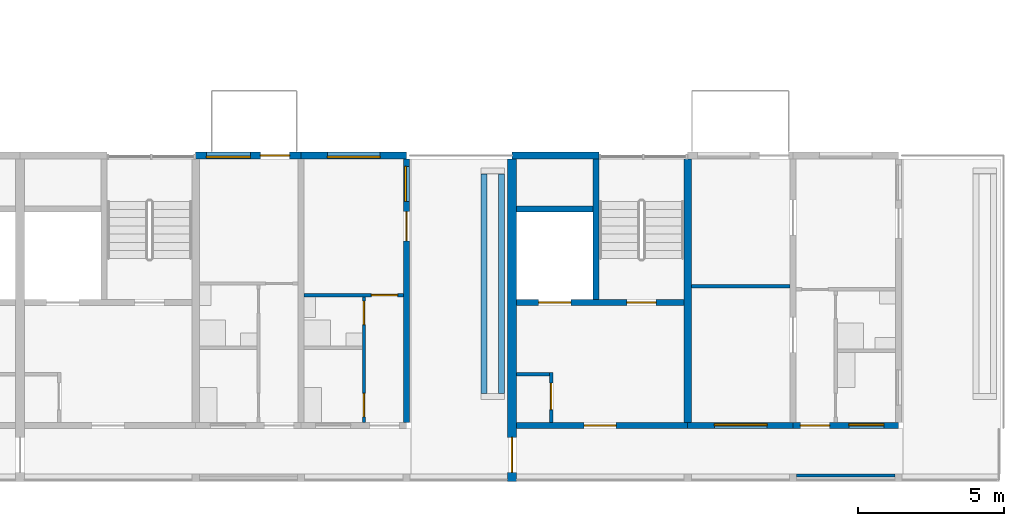
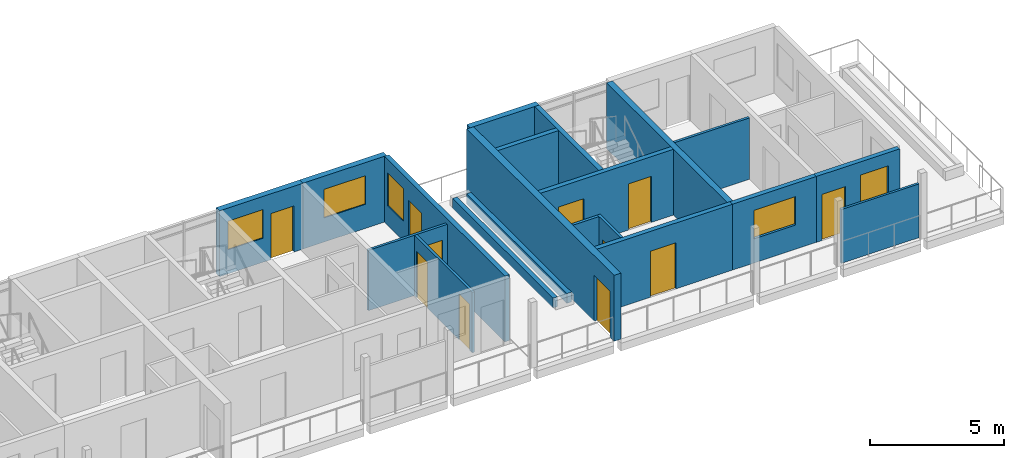
# One storey, part 35 of 55: 20 walls, 11 doors, 5 windows, 16 openings.
"""IFC4 building model written with IfcOpenShell, lengths in metres."""

from ifc_helpers import new_model, si_unit, direction, frame, frame_2d, origin, place, context, subcontext, project, spatial, rectangle, extrude, material, layer, layer_set, type_object, element, fill, save


model = new_model("IFC4")

# Units and contexts
model_context = context("Model", 3, precision=1e-05, world=origin(), true_north=direction((0.0, 1.0)))
body_context = subcontext(model_context, "Body", "Model", "MODEL_VIEW")
ifc_project = project(units=[si_unit("LENGTHUNIT", "METRE"), si_unit("AREAUNIT", "SQUARE_METRE"), si_unit("VOLUMEUNIT", "CUBIC_METRE"), si_unit("PLANEANGLEUNIT", "RADIAN"), si_unit("MASSUNIT", "GRAM", prefix="KILO")], contexts=[model_context])

# Site, building, storey
site_placement = place(None, origin())
site = spatial("IfcSite", under=ifc_project, at=site_placement, CompositionType="ELEMENT")
building_placement = place(site_placement, origin())
building = spatial("IfcBuilding", under=site, at=building_placement, Name="Ridgestep Commons", CompositionType="ELEMENT")
storey_placement = place(building_placement, frame((0.0, 0.0, 36.0)))
storey = spatial("IfcBuildingStorey", under=building, at=storey_placement, Name="L12", CompositionType="ELEMENT", Elevation=36.0)

# Wall
ifc_material_1 = material(Name="Concrete C30/37", Category="concrete")
ifc_layer_1 = layer(ifc_material_1, 0.25)
ifc_layer_set_1 = layer_set([ifc_layer_1], Name="Core cross wall 250")
wall_type_1 = type_object("IfcWallType", Name="Core cross wall 250", PredefinedType="SHEAR", material=ifc_layer_set_1)
wall_1_placement = place(storey_placement, frame((236.800048828125, 13.75, 0.0), z_axis=(0.0, 0.0, 1.0), x_axis=(0.0, 1.0, 0.0)))
element("IfcWall", 1, at=wall_1_placement, inside=storey, type_object=wall_type_1, Name="Cross wall D-12-2368", PredefinedType="SHEAR", context=body_context, shape_type="SweptSolid", body=[
    extrude(rectangle(XDim=9.0, YDim=0.25, at=frame_2d((4.5, 0.0))), origin(), (0.0, 0.0, 1.0), 3.0),
])

# Wall, opening, door
ifc_material_2 = material(Name="Concrete C30/37", Category="concrete")
ifc_layer_2 = layer(ifc_material_2, 0.199951171875)
ifc_layer_set_2 = layer_set([ifc_layer_2], Name="Core south wall 200")
wall_type_2 = type_object("IfcWallType", Name="Core south wall 200", PredefinedType="SHEAR", material=ifc_layer_set_2)
wall_2_placement = place(storey_placement, frame((230.949951171875, 13.64990234375, 0.0), z_axis=(0.0, 0.0, 1.0), x_axis=(1.0, 0.0, 0.0)))
wall_2 = element("IfcWall", 2, at=wall_2_placement, inside=storey, type_object=wall_type_2, Name="Core south wall D6C L12", PredefinedType="SHEAR", context=body_context, shape_type="SweptSolid", body=[
    extrude(rectangle(XDim=5.85009765625, YDim=0.199951171875, at=frame_2d((2.925048828125, 0.0))), origin(), (0.0, 0.0, 1.0), 3.0),
])
opening_1_placement = place(wall_2_placement, frame((2.3125, 0.0, 0.0)))
opening_1 = element("IfcOpeningElement", 3, at=opening_1_placement, cuts=wall_2, Name="Opening D6C/12/1", PredefinedType="OPENING", context=body_context, shape_type="SweptSolid", body=[
    extrude(rectangle(XDim=1.10009765625, YDim=2.10009765625, at=frame_2d((0.550048828125, 1.050048828125))), frame((0.0, 0.10986328125, 0.0), z_axis=(0.0, -1.0, 0.0), x_axis=(1.0, 0.0, 0.0)), (0.0, 0.0, 1.0), 0.219970703125),
])
ifc_material_3 = material(Name="Steel fire door", Category="steel")
door_type_1 = type_object("IfcDoorType", Name="Lobby door 1100 x 2100 FD60", OperationType="NOTDEFINED", PredefinedType="DOOR", material=ifc_material_3)
door_1_placement = place(opening_1_placement, origin())
door_1 = element("IfcDoor", 4, at=door_1_placement, inside=storey, type_object=door_type_1, Name="Lobby door D6C/12/1", OperationType="SINGLE_SWING_LEFT", OverallHeight=2.10009765625, OverallWidth=1.10009765625, PredefinedType="DOOR", context=body_context, shape_type="SweptSolid", body=[
    extrude(rectangle(XDim=1.10009765625, YDim=2.10009765625, at=frame_2d((0.550048828125, 1.050048828125))), frame((0.0, 0.02490234375, 0.0), z_axis=(0.0, -1.0, 0.0), x_axis=(1.0, 0.0, 0.0)), (0.0, 0.0, 1.0), 0.050048828125),
])
fill(opening_1, door_1)

ifc_material_4 = material(Name="Concrete C30/37", Category="concrete")
ifc_layer_3 = layer(ifc_material_4, 0.1201171875)
ifc_layer_set_3 = layer_set([ifc_layer_3], Name="Core wall 120")
wall_type_3 = type_object("IfcWallType", Name="Core wall 120", PredefinedType="SHEAR", material=ifc_layer_set_3)
wall_3_placement = place(storey_placement, frame((232.139892578125, 13.75, 0.0), z_axis=(0.0, 0.0, 1.0), x_axis=(0.0, 1.0, 0.0)))
wall_3 = element("IfcWall", 5, at=wall_3_placement, inside=storey, type_object=wall_type_3, Name="Core riser w wall D6C L12", PredefinedType="SHEAR", context=body_context, shape_type="SweptSolid", body=[
    extrude(rectangle(XDim=1.719970703125, YDim=0.1201171875, at=frame_2d((0.85986328125, 0.0))), origin(), (0.0, 0.0, 1.0), 3.0),
])
opening_2_placement = place(wall_3_placement, frame((0.449951171875, 0.0, 0.0)))
opening_2 = element("IfcOpeningElement", 6, at=opening_2_placement, cuts=wall_3, Name="Opening D6C/12/4", PredefinedType="OPENING", context=body_context, shape_type="SweptSolid", body=[
    extrude(rectangle(XDim=0.89990234375, YDim=2.10009765625, at=frame_2d((0.449951171875, 1.050048828125))), frame((0.0, 0.070068359375, 0.0), z_axis=(0.0, -1.0, 0.0), x_axis=(1.0, 0.0, 0.0)), (0.0, 0.0, 1.0), 0.14013671875),
])
ifc_material_5 = material(Name="Steel fire door", Category="steel")
door_type_2 = type_object("IfcDoorType", Name="Riser door 900 x 2100 FD60", OperationType="NOTDEFINED", PredefinedType="DOOR", material=ifc_material_5)
door_2_placement = place(opening_2_placement, origin())
door_2 = element("IfcDoor", 7, at=door_2_placement, inside=storey, type_object=door_type_2, Name="Riser door D6C/12/4", OperationType="SINGLE_SWING_RIGHT", OverallHeight=2.10009765625, OverallWidth=0.89990234375, PredefinedType="DOOR", context=body_context, shape_type="SweptSolid", body=[
    extrude(rectangle(XDim=0.89990234375, YDim=2.10009765625, at=frame_2d((0.449951171875, 1.050048828125))), frame((0.0, 0.02490234375, 0.0), z_axis=(0.0, -1.0, 0.0), x_axis=(1.0, 0.0, 0.0)), (0.0, 0.0, 1.0), 0.050048828125),
])
fill(opening_2, door_2)

# Wall
wall_4_placement = place(storey_placement, frame((230.949951171875, 15.409912109375, 0.0), z_axis=(0.0, 0.0, 1.0), x_axis=(1.0, 0.0, 0.0)))
element("IfcWall", 8, at=wall_4_placement, inside=storey, type_object=wall_type_3, Name="Core riser n wall D6C L12", PredefinedType="SHEAR", context=body_context, shape_type="SweptSolid", body=[
    extrude(rectangle(XDim=1.130126953125, YDim=0.1201171875, at=frame_2d((0.56494140625, 0.0))), origin(), (0.0, 0.0, 1.0), 3.0),
])

# Wall, openings, doors
ifc_material_6 = material(Name="Concrete C30/37", Category="concrete")
ifc_layer_4 = layer(ifc_material_6, 0.199951171875)
ifc_layer_set_4 = layer_set([ifc_layer_4], Name="Core wall 200")
wall_type_4 = type_object("IfcWallType", Name="Core wall 200", PredefinedType="SHEAR", material=ifc_layer_set_4)
wall_5_placement = place(storey_placement, frame((230.949951171875, 17.85009765625, 0.0), z_axis=(0.0, 0.0, 1.0), x_axis=(1.0, 0.0, 0.0)))
wall_5 = element("IfcWall", 9, at=wall_5_placement, inside=storey, type_object=wall_type_4, Name="Core lobby wall D6C L12", PredefinedType="SHEAR", context=body_context, shape_type="SweptSolid", body=[
    extrude(rectangle(XDim=5.72509765625, YDim=0.199951171875, at=frame_2d((2.862548828125, 0.0))), origin(), (0.0, 0.0, 1.0), 3.0),
])
opening_3_placement = place(wall_5_placement, frame((3.77490234375, 0.0, 0.0)))
opening_3 = element("IfcOpeningElement", 10, at=opening_3_placement, cuts=wall_5, Name="Opening D6C/12/2", PredefinedType="OPENING", context=body_context, shape_type="SweptSolid", body=[
    extrude(rectangle(XDim=1.0, YDim=2.10009765625, at=frame_2d((0.5, 1.050048828125))), frame((0.0, 0.10986328125, 0.0), z_axis=(0.0, -1.0, 0.0), x_axis=(1.0, 0.0, 0.0)), (0.0, 0.0, 1.0), 0.219970703125),
])
opening_4_placement = place(wall_5_placement, frame((0.762451171875, 0.0, 0.0)))
opening_4 = element("IfcOpeningElement", 11, at=opening_4_placement, cuts=wall_5, Name="Opening D6C/12/3", PredefinedType="OPENING", context=body_context, shape_type="SweptSolid", body=[
    extrude(rectangle(XDim=1.10009765625, YDim=2.10009765625, at=frame_2d((0.550048828125, 1.050048828125))), frame((0.0, 0.10986328125, 0.0), z_axis=(0.0, -1.0, 0.0), x_axis=(1.0, 0.0, 0.0)), (0.0, 0.0, 1.0), 0.219970703125),
])
ifc_material_7 = material(Name="Stainless steel", Category="steel")
door_type_3 = type_object("IfcDoorType", Name="Lift landing door 1100 x 2100 FD60", OperationType="DOUBLE_DOOR_SLIDING", PredefinedType="DOOR", material=ifc_material_7)
door_3_placement = place(opening_4_placement, origin())
door_3 = element("IfcDoor", 12, at=door_3_placement, inside=storey, type_object=door_type_3, Name="Landing door LD D6C L12", OperationType="DOUBLE_DOOR_SLIDING", OverallHeight=2.10009765625, OverallWidth=1.10009765625, PredefinedType="DOOR", context=body_context, shape_type="SweptSolid", body=[
    extrude(rectangle(XDim=1.10009765625, YDim=2.10009765625, at=frame_2d((0.550048828125, 1.050048828125))), frame((0.0, 0.02490234375, 0.0), z_axis=(0.0, -1.0, 0.0), x_axis=(1.0, 0.0, 0.0)), (0.0, 0.0, 1.0), 0.050048828125),
])
fill(opening_4, door_3)
ifc_material_8 = material(Name="Steel fire door", Category="steel")
door_type_4 = type_object("IfcDoorType", Name="Stair door 1000 x 2100 FD60", OperationType="NOTDEFINED", PredefinedType="DOOR", material=ifc_material_8)
door_4_placement = place(opening_3_placement, origin())
door_4 = element("IfcDoor", 13, at=door_4_placement, inside=storey, type_object=door_type_4, Name="Stair door D6C/12/2", OperationType="SINGLE_SWING_RIGHT", OverallHeight=2.10009765625, OverallWidth=1.0, PredefinedType="DOOR", context=body_context, shape_type="SweptSolid", body=[
    extrude(rectangle(XDim=1.0, YDim=2.10009765625, at=frame_2d((0.5, 1.050048828125))), frame((0.0, 0.02490234375, 0.0), z_axis=(0.0, -1.0, 0.0), x_axis=(1.0, 0.0, 0.0)), (0.0, 0.0, 1.0), 0.050048828125),
])
fill(opening_3, door_4)

# Walls
wall_6_placement = place(storey_placement, frame((233.675048828125, 17.949951171875, 0.0), z_axis=(0.0, 0.0, 1.0), x_axis=(0.0, 1.0, 0.0)))
element("IfcWall", 14, at=wall_6_placement, inside=storey, type_object=wall_type_4, Name="Core stair wall D6C L12", PredefinedType="SHEAR", context=body_context, shape_type="SweptSolid", body=[
    extrude(rectangle(XDim=4.800048828125, YDim=0.199951171875, at=frame_2d((2.39990234375, 0.0))), origin(), (0.0, 0.0, 1.0), 3.0),
])
wall_7_placement = place(storey_placement, frame((230.949951171875, 21.050048828125, 0.0), z_axis=(0.0, 0.0, 1.0), x_axis=(1.0, 0.0, 0.0)))
element("IfcWall", 15, at=wall_7_placement, inside=storey, type_object=wall_type_4, Name="Core duct wall D6C L12", PredefinedType="SHEAR", context=body_context, shape_type="SweptSolid", body=[
    extrude(rectangle(XDim=2.625, YDim=0.199951171875, at=frame_2d((1.3125, 0.0))), origin(), (0.0, 0.0, 1.0), 3.0),
])

# Wall, openings, window, door
ifc_material_9 = material(Name="Precast concrete C40/50", Category="concrete")
ifc_layer_5 = layer(ifc_material_9, 0.199951171875)
ifc_layer_set_5 = layer_set([ifc_layer_5], Name="Exposed cross wall 200")
wall_type_5 = type_object("IfcWallType", Name="Exposed cross wall 200", PredefinedType="SHEAR", material=ifc_layer_set_5)
wall_8_placement = place(storey_placement, frame((227.199951171875, 13.75, 0.0), z_axis=(0.0, 0.0, 1.0), x_axis=(0.0, 1.0, 0.0)))
wall_8 = element("IfcWall", 16, at=wall_8_placement, inside=storey, type_object=wall_type_5, Name="Cross wall D-12-2272", PredefinedType="SHEAR", context=body_context, shape_type="SweptSolid", body=[
    extrude(rectangle(XDim=9.0, YDim=0.199951171875, at=frame_2d((4.5, 0.0))), origin(), (0.0, 0.0, 1.0), 3.0),
])
opening_5_placement = place(wall_8_placement, frame((7.552490234375, 0.0, 0.89990234375)))
opening_5 = element("IfcOpeningElement", 17, at=opening_5_placement, cuts=wall_8, Name="Opening W10", PredefinedType="OPENING", context=body_context, shape_type="SweptSolid", body=[
    extrude(rectangle(XDim=1.199951171875, YDim=1.5, at=frame_2d((0.60009765625, 0.75))), frame((0.0, 0.10986328125, 0.0), z_axis=(0.0, -1.0, 0.0), x_axis=(1.0, 0.0, 0.0)), (0.0, 0.0, 1.0), 0.219970703125),
])
opening_6_placement = place(wall_8_placement, frame((6.205078125, 0.0, 0.0)))
opening_6 = element("IfcOpeningElement", 18, at=opening_6_placement, cuts=wall_8, Name="Opening D5-12a/5", PredefinedType="OPENING", context=body_context, shape_type="SweptSolid", body=[
    extrude(rectangle(XDim=1.0, YDim=2.10009765625, at=frame_2d((0.5, 1.050048828125))), frame((0.0, 0.10986328125, 0.0), z_axis=(0.0, -1.0, 0.0), x_axis=(1.0, 0.0, 0.0)), (0.0, 0.0, 1.0), 0.219970703125),
])
ifc_material_10 = material(Name="Aluminium 6063-T6 and glass", Category="aluminium")
window_type_1 = type_object("IfcWindowType", Name="Flat window 1200 x 1500", PartitioningType="SINGLE_PANEL", PredefinedType="WINDOW", material=ifc_material_10)
window_1_placement = place(opening_5_placement, origin())
window_1 = element("IfcWindow", 19, at=window_1_placement, inside=storey, type_object=window_type_1, Name="Window D5-12a 3", OverallHeight=1.5, OverallWidth=1.199951171875, PartitioningType="SINGLE_PANEL", PredefinedType="WINDOW", context=body_context, shape_type="SweptSolid", body=[
    extrude(rectangle(XDim=1.199951171875, YDim=1.5, at=frame_2d((0.60009765625, 0.75))), frame((0.0, 0.06005859375, 0.0), z_axis=(0.0, -1.0, 0.0), x_axis=(1.0, 0.0, 0.0)), (0.0, 0.0, 1.0), 0.06005859375),
])
fill(opening_5, window_1)
ifc_material_11 = material(Name="Aluminium and glass", Category="aluminium")
door_type_5 = type_object("IfcDoorType", Name="Terrace door 1000 x 2100", OperationType="NOTDEFINED", PredefinedType="DOOR", material=ifc_material_11)
door_5_placement = place(opening_6_placement, origin())
door_5 = element("IfcDoor", 20, at=door_5_placement, inside=storey, type_object=door_type_5, Name="Terrace door D5-12a/5", OperationType="SINGLE_SWING_LEFT", OverallHeight=2.10009765625, OverallWidth=1.0, PredefinedType="DOOR", context=body_context, shape_type="SweptSolid", body=[
    extrude(rectangle(XDim=1.0, YDim=2.10009765625, at=frame_2d((0.5, 1.050048828125))), frame((0.0, 0.02490234375, 0.0), z_axis=(0.0, -1.0, 0.0), x_axis=(1.0, 0.0, 0.0)), (0.0, 0.0, 1.0), 0.050048828125),
])
fill(opening_6, door_5)

# Wall, opening, door
ifc_material_12 = material(Name="Precast concrete C40/50", Category="concrete")
ifc_layer_6 = layer(ifc_material_12, 0.300048828125)
ifc_layer_set_6 = layer_set([ifc_layer_6], Name="Exposed division wall 300")
wall_type_6 = type_object("IfcWallType", Name="Exposed division wall 300", PredefinedType="SHEAR", material=ifc_layer_set_6)
wall_9_placement = place(storey_placement, frame((230.800048828125, 11.75, 0.0), z_axis=(0.0, 0.0, 1.0), x_axis=(0.0, 1.0, 0.0)))
wall_9 = element("IfcWall", 21, at=wall_9_placement, inside=storey, type_object=wall_type_6, Name="Cross wall D-12-2308", PredefinedType="SHEAR", context=body_context, shape_type="SweptSolid", body=[
    extrude(rectangle(XDim=11.0, YDim=0.300048828125, at=frame_2d((5.5, 0.0))), origin(), (0.0, 0.0, 1.0), 3.0),
])
opening_7_placement = place(wall_9_placement, frame((0.300048828125, 0.0, 0.0)))
opening_7 = element("IfcOpeningElement", 22, at=opening_7_placement, cuts=wall_9, Name="Opening D/12/G2308", PredefinedType="OPENING", context=body_context, shape_type="SweptSolid", body=[
    extrude(rectangle(XDim=1.199951171875, YDim=2.10009765625, at=frame_2d((0.60009765625, 1.050048828125))), frame((0.0, 0.159912109375, 0.0), z_axis=(0.0, -1.0, 0.0), x_axis=(1.0, 0.0, 0.0)), (0.0, 0.0, 1.0), 0.320068359375),
])
ifc_material_13 = material(Name="Steel fire door", Category="steel")
door_type_6 = type_object("IfcDoorType", Name="Division fire door 1200 x 2100 EI 240", OperationType="DOUBLE_DOOR_SINGLE_SWING", PredefinedType="DOOR", material=ifc_material_13)
door_6_placement = place(opening_7_placement, origin())
door_6 = element("IfcDoor", 23, at=door_6_placement, inside=storey, type_object=door_type_6, Name="Division fire door D/12/G2308", OperationType="DOUBLE_DOOR_SINGLE_SWING", OverallHeight=2.10009765625, OverallWidth=1.199951171875, PredefinedType="DOOR", context=body_context, shape_type="SweptSolid", body=[
    extrude(rectangle(XDim=1.199951171875, YDim=2.10009765625, at=frame_2d((0.60009765625, 1.050048828125))), frame((0.0, 0.02490234375, 0.0), z_axis=(0.0, -1.0, 0.0), x_axis=(1.0, 0.0, 0.0)), (0.0, 0.0, 1.0), 0.050048828125),
])
fill(opening_7, door_6)

# Wall, openings, door, window
ifc_material_14 = material(Name="Precast concrete C40/50", Category="concrete")
ifc_layer_7 = layer(ifc_material_14, 0.25)
ifc_layer_set_7 = layer_set([ifc_layer_7], Name="North facade panel 250")
wall_type_7 = type_object("IfcWallType", Name="North facade panel 250", PredefinedType="SOLIDWALL", material=ifc_layer_set_7)
wall_10_placement = place(storey_placement, frame((220.0, 22.875, 0.0), z_axis=(0.0, 0.0, 1.0), x_axis=(1.0, 0.0, 0.0)))
wall_10 = element("IfcWall", 24, at=wall_10_placement, inside=storey, type_object=wall_type_7, Name="North panel D5T3 L12", PredefinedType="SOLIDWALL", context=body_context, shape_type="SweptSolid", body=[
    extrude(rectangle(XDim=3.60009765625, YDim=0.25, at=frame_2d((1.800048828125, 0.0))), origin(), (0.0, 0.0, 1.0), 3.0),
])
opening_8_placement = place(wall_10_placement, frame((0.368408203125, 0.0, 1.10009765625)))
opening_8 = element("IfcOpeningElement", 25, at=opening_8_placement, cuts=wall_10, Name="Opening W14", PredefinedType="OPENING", context=body_context, shape_type="SweptSolid", body=[
    extrude(rectangle(XDim=1.5, YDim=1.300048828125, at=frame_2d((0.75, 0.64990234375))), frame((0.0, 0.135009765625, 0.0), z_axis=(0.0, -1.0, 0.0), x_axis=(1.0, 0.0, 0.0)), (0.0, 0.0, 1.0), 0.27001953125),
])
opening_9_placement = place(wall_10_placement, frame((2.2119140625, 0.0, 0.0)))
opening_9 = element("IfcOpeningElement", 26, at=opening_9_placement, cuts=wall_10, Name="Opening D5-12b/5", PredefinedType="OPENING", context=body_context, shape_type="SweptSolid", body=[
    extrude(rectangle(XDim=1.0, YDim=2.10009765625, at=frame_2d((0.5, 1.050048828125))), frame((0.0, 0.135009765625, 0.0), z_axis=(0.0, -1.0, 0.0), x_axis=(1.0, 0.0, 0.0)), (0.0, 0.0, 1.0), 0.27001953125),
])
ifc_material_15 = material(Name="Aluminium and glass", Category="aluminium")
door_type_7 = type_object("IfcDoorType", Name="Balcony door 1000 x 2100", OperationType="NOTDEFINED", PredefinedType="DOOR", material=ifc_material_15)
door_7_placement = place(opening_9_placement, origin())
door_7 = element("IfcDoor", 27, at=door_7_placement, inside=storey, type_object=door_type_7, Name="Balcony door D5-12b/5", OperationType="SINGLE_SWING_LEFT", OverallHeight=2.10009765625, OverallWidth=1.0, PredefinedType="DOOR", context=body_context, shape_type="SweptSolid", body=[
    extrude(rectangle(XDim=1.0, YDim=2.10009765625, at=frame_2d((0.5, 1.050048828125))), frame((0.0, 0.02490234375, 0.0), z_axis=(0.0, -1.0, 0.0), x_axis=(1.0, 0.0, 0.0)), (0.0, 0.0, 1.0), 0.050048828125),
])
fill(opening_9, door_7)
ifc_material_16 = material(Name="Aluminium 6063-T6 and glass", Category="aluminium")
window_type_2 = type_object("IfcWindowType", Name="Flat window 1500 x 1300", PartitioningType="DOUBLE_PANEL_VERTICAL", PredefinedType="WINDOW", material=ifc_material_16)
window_2_placement = place(opening_8_placement, origin())
window_2 = element("IfcWindow", 28, at=window_2_placement, inside=storey, type_object=window_type_2, Name="Window D5-12b 2", OverallHeight=1.300048828125, OverallWidth=1.5, PartitioningType="SINGLE_PANEL", PredefinedType="WINDOW", context=body_context, shape_type="SweptSolid", body=[
    extrude(rectangle(XDim=1.5, YDim=1.300048828125, at=frame_2d((0.75, 0.64990234375))), frame((0.0, -0.02490234375, 0.0), z_axis=(0.0, -1.0, 0.0), x_axis=(1.0, 0.0, 0.0)), (0.0, 0.0, 1.0), 0.06005859375),
])
fill(opening_8, window_2)

# Wall, opening, window
wall_11_placement = place(storey_placement, frame((223.60009765625, 22.875, 0.0), z_axis=(0.0, 0.0, 1.0), x_axis=(1.0, 0.0, 0.0)))
wall_11 = element("IfcWall", 29, at=wall_11_placement, inside=storey, type_object=wall_type_7, Name="North panel D5T2 L12", PredefinedType="SOLIDWALL", context=body_context, shape_type="SweptSolid", body=[
    extrude(rectangle(XDim=3.599853515625, YDim=0.25, at=frame_2d((1.7998046875, 0.0))), origin(), (0.0, 0.0, 1.0), 3.0),
])
opening_10_placement = place(wall_11_placement, frame((0.89990234375, 0.0, 1.10009765625)))
opening_10 = element("IfcOpeningElement", 30, at=opening_10_placement, cuts=wall_11, Name="Opening W18", PredefinedType="OPENING", context=body_context, shape_type="SweptSolid", body=[
    extrude(rectangle(XDim=1.800048828125, YDim=1.300048828125, at=frame_2d((0.89990234375, 0.64990234375))), frame((0.0, 0.135009765625, 0.0), z_axis=(0.0, -1.0, 0.0), x_axis=(1.0, 0.0, 0.0)), (0.0, 0.0, 1.0), 0.27001953125),
])
ifc_material_17 = material(Name="Aluminium 6063-T6 and glass", Category="aluminium")
window_type_3 = type_object("IfcWindowType", Name="Flat window 1800 x 1300", PartitioningType="DOUBLE_PANEL_VERTICAL", PredefinedType="WINDOW", material=ifc_material_17)
window_3_placement = place(opening_10_placement, origin())
window_3 = element("IfcWindow", 31, at=window_3_placement, inside=storey, type_object=window_type_3, Name="Window D5-12a 2", OverallHeight=1.300048828125, OverallWidth=1.800048828125, PartitioningType="SINGLE_PANEL", PredefinedType="WINDOW", context=body_context, shape_type="SweptSolid", body=[
    extrude(rectangle(XDim=1.800048828125, YDim=1.300048828125, at=frame_2d((0.89990234375, 0.64990234375))), frame((0.0, -0.02490234375, 0.0), z_axis=(0.0, -1.0, 0.0), x_axis=(1.0, 0.0, 0.0)), (0.0, 0.0, 1.0), 0.06005859375),
])
fill(opening_10, window_3)

# Wall
wall_12_placement = place(storey_placement, frame((230.800048828125, 22.875, 0.0), z_axis=(0.0, 0.0, 1.0), x_axis=(1.0, 0.0, 0.0)))
element("IfcWall", 32, at=wall_12_placement, inside=storey, type_object=wall_type_7, Name="North panel D6C L12", PredefinedType="SOLIDWALL", context=body_context, shape_type="SweptSolid", body=[
    extrude(rectangle(XDim=2.974853515625, YDim=0.25, at=frame_2d((1.4873046875, 0.0))), origin(), (0.0, 0.0, 1.0), 3.0),
])

# Wall, openings, doors
ifc_material_18 = material(Name="Common brick 110 mm", Category="masonry")
ifc_layer_8 = layer(ifc_material_18, 0.110107421875)
ifc_layer_set_8 = layer_set([ifc_layer_8], Name="Partition 110")
wall_type_8 = type_object("IfcWallType", Name="Partition 110", PredefinedType="PARTITIONING", material=ifc_layer_set_8)
wall_13_placement = place(storey_placement, frame((225.7451171875, 13.75, 0.0), z_axis=(0.0, 0.0, 1.0), x_axis=(0.0, 1.0, 0.0)))
wall_13 = element("IfcWall", 33, at=wall_13_placement, inside=storey, type_object=wall_type_8, Name="Partition D5-12a", PredefinedType="PARTITIONING", context=body_context, shape_type="SweptSolid", body=[
    extrude(rectangle(XDim=4.300048828125, YDim=0.110107421875, at=frame_2d((2.14990234375, 0.0))), origin(), (0.0, 0.0, 1.0), 2.75),
])
opening_11_placement = place(wall_13_placement, frame((0.199951171875, 0.0, 0.0)))
opening_11 = element("IfcOpeningElement", 34, at=opening_11_placement, cuts=wall_13, Name="Opening D5-12a/2", PredefinedType="OPENING", context=body_context, shape_type="SweptSolid", body=[
    extrude(rectangle(XDim=0.800048828125, YDim=2.10009765625, at=frame_2d((0.39990234375, 1.050048828125))), frame((0.0, 0.06494140625, 0.0), z_axis=(0.0, -1.0, 0.0), x_axis=(1.0, 0.0, 0.0)), (0.0, 0.0, 1.0), 0.130126953125),
])
opening_12_placement = place(wall_13_placement, frame((3.35009765625, 0.0, 0.0)))
opening_12 = element("IfcOpeningElement", 35, at=opening_12_placement, cuts=wall_13, Name="Opening D5-12a/3", PredefinedType="OPENING", context=body_context, shape_type="SweptSolid", body=[
    extrude(rectangle(XDim=0.800048828125, YDim=2.10009765625, at=frame_2d((0.39990234375, 1.050048828125))), frame((0.0, 0.06494140625, 0.0), z_axis=(0.0, -1.0, 0.0), x_axis=(1.0, 0.0, 0.0)), (0.0, 0.0, 1.0), 0.130126953125),
])
ifc_material_19 = material(Name="Timber door leaf", Category="wood")
door_type_8 = type_object("IfcDoorType", Name="Internal door 800 x 2100", OperationType="NOTDEFINED", PredefinedType="DOOR", material=ifc_material_19)
door_8_placement = place(opening_11_placement, origin())
door_8 = element("IfcDoor", 36, at=door_8_placement, inside=storey, type_object=door_type_8, Name="Internal door D5-12a/2", OperationType="SINGLE_SWING_LEFT", OverallHeight=2.10009765625, OverallWidth=0.800048828125, PredefinedType="DOOR", context=body_context, shape_type="SweptSolid", body=[
    extrude(rectangle(XDim=0.800048828125, YDim=2.10009765625, at=frame_2d((0.39990234375, 1.050048828125))), frame((0.0, 0.02490234375, 0.0), z_axis=(0.0, -1.0, 0.0), x_axis=(1.0, 0.0, 0.0)), (0.0, 0.0, 1.0), 0.050048828125),
])
fill(opening_11, door_8)
door_9_placement = place(opening_12_placement, origin())
door_9 = element("IfcDoor", 37, at=door_9_placement, inside=storey, type_object=door_type_8, Name="Internal door D5-12a/3", OperationType="SINGLE_SWING_RIGHT", OverallHeight=2.10009765625, OverallWidth=0.800048828125, PredefinedType="DOOR", context=body_context, shape_type="SweptSolid", body=[
    extrude(rectangle(XDim=0.800048828125, YDim=2.10009765625, at=frame_2d((0.39990234375, 1.050048828125))), frame((0.0, 0.02490234375, 0.0), z_axis=(0.0, -1.0, 0.0), x_axis=(1.0, 0.0, 0.0)), (0.0, 0.0, 1.0), 0.050048828125),
])
fill(opening_12, door_9)

# Wall, opening, door
wall_14_placement = place(storey_placement, frame((223.699951171875, 18.10498046875, 0.0), z_axis=(0.0, 0.0, 1.0), x_axis=(1.0, 0.0, 0.0)))
wall_14 = element("IfcWall", 38, at=wall_14_placement, inside=storey, type_object=wall_type_8, Name="Partition D5-12a", PredefinedType="PARTITIONING", context=body_context, shape_type="SweptSolid", body=[
    extrude(rectangle(XDim=3.400146484375, YDim=0.110107421875, at=frame_2d((1.7001953125, 0.0))), origin(), (0.0, 0.0, 1.0), 2.75),
])
opening_13_placement = place(wall_14_placement, frame((2.300048828125, 0.0, 0.0)))
opening_13 = element("IfcOpeningElement", 39, at=opening_13_placement, cuts=wall_14, Name="Opening D5-12a/4", PredefinedType="OPENING", context=body_context, shape_type="SweptSolid", body=[
    extrude(rectangle(XDim=0.89990234375, YDim=2.10009765625, at=frame_2d((0.449951171875, 1.050048828125))), frame((0.0, 0.06494140625, 0.0), z_axis=(0.0, -1.0, 0.0), x_axis=(1.0, 0.0, 0.0)), (0.0, 0.0, 1.0), 0.130126953125),
])
ifc_material_20 = material(Name="Timber door leaf", Category="wood")
door_type_9 = type_object("IfcDoorType", Name="Internal door 900 x 2100", OperationType="NOTDEFINED", PredefinedType="DOOR", material=ifc_material_20)
door_10_placement = place(opening_13_placement, origin())
door_10 = element("IfcDoor", 40, at=door_10_placement, inside=storey, type_object=door_type_9, Name="Internal door D5-12a/4", OperationType="SINGLE_SWING_LEFT", OverallHeight=2.10009765625, OverallWidth=0.89990234375, PredefinedType="DOOR", context=body_context, shape_type="SweptSolid", body=[
    extrude(rectangle(XDim=0.89990234375, YDim=2.10009765625, at=frame_2d((0.449951171875, 1.050048828125))), frame((0.0, 0.02490234375, 0.0), z_axis=(0.0, -1.0, 0.0), x_axis=(1.0, 0.0, 0.0)), (0.0, 0.0, 1.0), 0.050048828125),
])
fill(opening_13, door_10)

# Walls
wall_15_placement = place(storey_placement, frame((236.925048828125, 18.405029296875, 0.0), z_axis=(0.0, 0.0, 1.0), x_axis=(1.0, 0.0, 0.0)))
element("IfcWall", 41, at=wall_15_placement, inside=storey, type_object=wall_type_8, Name="Partition D6-12a", PredefinedType="PARTITIONING", context=body_context, shape_type="SweptSolid", body=[
    extrude(rectangle(XDim=3.375, YDim=0.110107421875, at=frame_2d((1.6875, 0.0))), origin(), (0.0, 0.0, 1.0), 2.800048828125),
])
ifc_material_21 = material(Name="Precast concrete C30/37", Category="concrete")
ifc_layer_9 = layer(ifc_material_21, 0.10009765625)
ifc_layer_set_9 = layer_set([ifc_layer_9], Name="Perforated gallery screen 3350 x 2450 x 100")
wall_type_9 = type_object("IfcWallType", Name="Perforated gallery screen 3350 x 2450 x 100", PredefinedType="SOLIDWALL", material=ifc_layer_set_9)
wall_16_placement = place(storey_placement, frame((240.52490234375, 11.949951171875, 0.0), z_axis=(0.0, 0.0, 1.0), x_axis=(1.0, 0.0, 0.0)))
element("IfcWall", 42, at=wall_16_placement, inside=storey, type_object=wall_type_9, Name="Gallery screen D6T2 12", PredefinedType="SOLIDWALL", context=body_context, shape_type="SweptSolid", body=[
    extrude(rectangle(XDim=3.35009765625, YDim=0.10009765625, at=frame_2d((1.675048828125, 0.0))), origin(), (0.0, 0.0, 1.0), 2.449951171875),
])
ifc_material_22 = material(Name="Facing brick", Category="masonry")
ifc_layer_10 = layer(ifc_material_22, 0.199951171875)
ifc_layer_set_10 = layer_set([ifc_layer_10], Name="Planter wall 200")
wall_type_10 = type_object("IfcWallType", Name="Planter wall 200", PredefinedType="SOLIDWALL", material=ifc_layer_set_10)
for number, where, z_axis, x_axis, name in (
    (43, (229.85009765625, 14.75, 0.010009765625), (0.0, 0.0, 1.0), (0.0, 1.0, 0.0), "Planter wall D5R1W"),
    (44, (230.449951171875, 14.75, 0.010009765625), (0.0, 0.0, 1.0), (0.0, 1.0, 0.0), "Planter wall D5R1E"),
):
    element("IfcWall", number, at=place(storey_placement, frame(where, z_axis=z_axis, x_axis=x_axis)), inside=storey, type_object=wall_type_10, Name=name, PredefinedType="SOLIDWALL", context=body_context, shape_type="SweptSolid", body=[
        extrude(rectangle(XDim=7.5, YDim=0.199951171875, at=frame_2d((3.75, 0.0))), origin(), (0.0, 0.0, 1.0), 0.449951171875),
    ])

# Wall, opening, window
ifc_material_23 = material(Name="Precast concrete C40/50", Category="concrete")
ifc_layer_11 = layer(ifc_material_23, 0.199951171875)
ifc_layer_set_11 = layer_set([ifc_layer_11], Name="South facade panel 200")
wall_type_11 = type_object("IfcWallType", Name="South facade panel 200", PredefinedType="SOLIDWALL", material=ifc_layer_set_11)
wall_17_placement = place(storey_placement, frame((236.800048828125, 13.64990234375, 0.0), z_axis=(0.0, 0.0, 1.0), x_axis=(1.0, 0.0, 0.0)))
wall_17 = element("IfcWall", 45, at=wall_17_placement, inside=storey, type_object=wall_type_11, Name="South panel D6T3 L12", PredefinedType="SOLIDWALL", context=body_context, shape_type="SweptSolid", body=[
    extrude(rectangle(XDim=3.599853515625, YDim=0.199951171875, at=frame_2d((1.7998046875, 0.0))), origin(), (0.0, 0.0, 1.0), 3.0),
])
opening_14_placement = place(wall_17_placement, frame((0.91259765625, 0.0, 1.10009765625)))
opening_14 = element("IfcOpeningElement", 46, at=opening_14_placement, cuts=wall_17, Name="Opening W18", PredefinedType="OPENING", context=body_context, shape_type="SweptSolid", body=[
    extrude(rectangle(XDim=1.800048828125, YDim=1.300048828125, at=frame_2d((0.89990234375, 0.64990234375))), frame((0.0, 0.10986328125, 0.0), z_axis=(0.0, -1.0, 0.0), x_axis=(1.0, 0.0, 0.0)), (0.0, 0.0, 1.0), 0.219970703125),
])
window_4_placement = place(opening_14_placement, origin())
window_4 = element("IfcWindow", 47, at=window_4_placement, inside=storey, type_object=window_type_3, Name="Window D6-12a 1", OverallHeight=1.300048828125, OverallWidth=1.800048828125, PartitioningType="SINGLE_PANEL", PredefinedType="WINDOW", context=body_context, shape_type="SweptSolid", body=[
    extrude(rectangle(XDim=1.800048828125, YDim=1.300048828125, at=frame_2d((0.89990234375, 0.64990234375))), frame((0.0, 0.06005859375, 0.0), z_axis=(0.0, -1.0, 0.0), x_axis=(1.0, 0.0, 0.0)), (0.0, 0.0, 1.0), 0.06005859375),
])
fill(opening_14, window_4)

# Wall, openings, door, window
wall_18_placement = place(storey_placement, frame((240.39990234375, 13.64990234375, 0.0), z_axis=(0.0, 0.0, 1.0), x_axis=(1.0, 0.0, 0.0)))
wall_18 = element("IfcWall", 48, at=wall_18_placement, inside=storey, type_object=wall_type_11, Name="South panel D6T2 L12", PredefinedType="SOLIDWALL", context=body_context, shape_type="SweptSolid", body=[
    extrude(rectangle(XDim=3.60009765625, YDim=0.199951171875, at=frame_2d((1.800048828125, 0.0))), origin(), (0.0, 0.0, 1.0), 3.0),
])
opening_15_placement = place(wall_18_placement, frame((1.905029296875, 0.0, 1.10009765625)))
opening_15 = element("IfcOpeningElement", 49, at=opening_15_placement, cuts=wall_18, Name="Opening W08", PredefinedType="OPENING", context=body_context, shape_type="SweptSolid", body=[
    extrude(rectangle(XDim=1.199951171875, YDim=1.300048828125, at=frame_2d((0.60009765625, 0.64990234375))), frame((0.0, 0.10986328125, 0.0), z_axis=(0.0, -1.0, 0.0), x_axis=(1.0, 0.0, 0.0)), (0.0, 0.0, 1.0), 0.219970703125),
])
opening_16_placement = place(wall_18_placement, frame((0.25, 0.0, 0.0)))
opening_16 = element("IfcOpeningElement", 50, at=opening_16_placement, cuts=wall_18, Name="Opening D6-12a/1", PredefinedType="OPENING", context=body_context, shape_type="SweptSolid", body=[
    extrude(rectangle(XDim=1.0, YDim=2.10009765625, at=frame_2d((0.5, 1.050048828125))), frame((0.0, 0.10986328125, 0.0), z_axis=(0.0, -1.0, 0.0), x_axis=(1.0, 0.0, 0.0)), (0.0, 0.0, 1.0), 0.219970703125),
])
ifc_material_24 = material(Name="Timber door leaf", Category="wood")
door_type_10 = type_object("IfcDoorType", Name="Flat entrance door 1000 x 2100 FD30S", OperationType="NOTDEFINED", PredefinedType="DOOR", material=ifc_material_24)
door_11_placement = place(opening_16_placement, origin())
door_11 = element("IfcDoor", 51, at=door_11_placement, inside=storey, type_object=door_type_10, Name="Flat entrance door D6-12a/1", OperationType="SINGLE_SWING_LEFT", OverallHeight=2.10009765625, OverallWidth=1.0, PredefinedType="DOOR", context=body_context, shape_type="SweptSolid", body=[
    extrude(rectangle(XDim=1.0, YDim=2.10009765625, at=frame_2d((0.5, 1.050048828125))), frame((0.0, 0.02490234375, 0.0), z_axis=(0.0, -1.0, 0.0), x_axis=(1.0, 0.0, 0.0)), (0.0, 0.0, 1.0), 0.050048828125),
])
fill(opening_16, door_11)
ifc_material_25 = material(Name="Aluminium 6063-T6 and glass", Category="aluminium")
window_type_4 = type_object("IfcWindowType", Name="Flat window 1200 x 1300", PartitioningType="SINGLE_PANEL", PredefinedType="WINDOW", material=ifc_material_25)
window_5_placement = place(opening_15_placement, origin())
window_5 = element("IfcWindow", 52, at=window_5_placement, inside=storey, type_object=window_type_4, Name="Window D6-12a 3", OverallHeight=1.300048828125, OverallWidth=1.199951171875, PartitioningType="SINGLE_PANEL", PredefinedType="WINDOW", context=body_context, shape_type="SweptSolid", body=[
    extrude(rectangle(XDim=1.199951171875, YDim=1.300048828125, at=frame_2d((0.60009765625, 0.64990234375))), frame((0.0, 0.06005859375, 0.0), z_axis=(0.0, -1.0, 0.0), x_axis=(1.0, 0.0, 0.0)), (0.0, 0.0, 1.0), 0.06005859375),
])
fill(opening_15, window_5)

save(model, "model.ifc")
